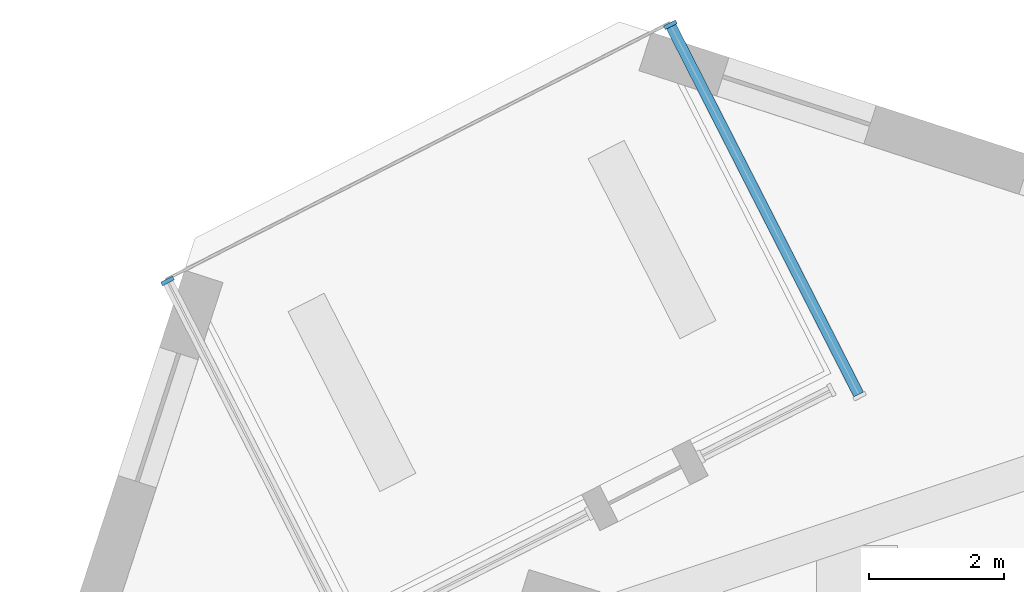
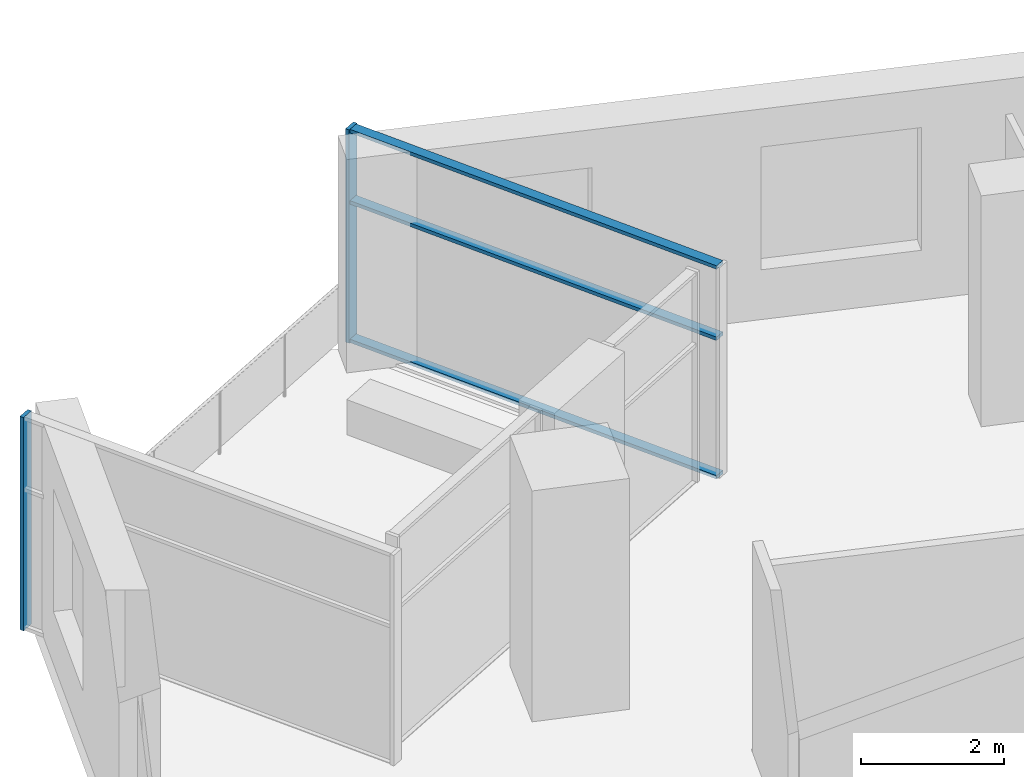
# One storey, part 4 of 13: 5 members, 2 elements without a shape of their own.
"""IFC4 building model written with IfcOpenShell, lengths in metres."""

from ifc_helpers import new_model, si_unit, direction, frame, origin, origin_2d, place, context, subcontext, project, spatial, rectangle, extrude, material, material_profile, profile_set, type_object, element, aggregate, save


model = new_model("IFC4")

# Units and contexts
model_context = context("Model", 3, precision=1e-05, world=origin(), true_north=direction((0.0, 1.0)))
body_context = subcontext(model_context, "Body", "Model", "MODEL_VIEW")
ifc_project = project(units=[si_unit("LENGTHUNIT", "METRE"), si_unit("AREAUNIT", "SQUARE_METRE"), si_unit("VOLUMEUNIT", "CUBIC_METRE"), si_unit("PLANEANGLEUNIT", "RADIAN"), si_unit("MASSUNIT", "GRAM", prefix="KILO")], contexts=[model_context])

# Site, building, storey
site_placement = place(None, origin())
site = spatial("IfcSite", under=ifc_project, at=site_placement, CompositionType="ELEMENT")
building_placement = place(site_placement, origin())
building = spatial("IfcBuilding", under=site, at=building_placement, Name="Dilmun Exchange Tower", CompositionType="ELEMENT")
storey_placement = place(building_placement, frame((0.0, 0.0, 320.5)))
storey = spatial("IfcBuildingStorey", under=building, at=storey_placement, Name="L76", CompositionType="ELEMENT", Elevation=320.5)

# Curtain wall, member
ifc_material_1 = material(Name="Anodised aluminium and clear glass", Category="aluminium")
curtain_wall_type = type_object("IfcCurtainWallType", Name="Garden corner glazing", PredefinedType="NOTDEFINED", material=ifc_material_1)
curtain_wall_1_placement = place(storey_placement, origin())
curtain_wall_1 = element("IfcCurtainWall", 1, at=curtain_wall_1_placement, inside=storey, type_object=curtain_wall_type, Name="Garden corner glazing run GC1.1", PredefinedType="NOTDEFINED")
ifc_material_2 = material(Name="Anodised aluminium", Category="aluminium")
ifc_material_profile_1 = material_profile(ifc_material_2, rectangle(XDim=0.199951171875, YDim=0.06005859375, at=origin_2d()), Name="AL 60x200")
ifc_profile_set_1 = profile_set([ifc_material_profile_1], Name="Anodised aluminium")
member_type_1 = type_object("IfcMemberType", Name="Garden corner glazing mullion 60 x 200", PredefinedType="MULLION", material=ifc_profile_set_1)
member_1_placement = place(storey_placement, frame((-10.896240234375, 35.28515625, 0.0), z_axis=(0.0, 0.0, 1.0), x_axis=(0.891010784827, 0.453982137668, 0.0)))
member_1 = element("IfcMember", 2, at=member_1_placement, type_object=member_type_1, Name="GC1.1 mullion 1", PredefinedType="MULLION", context=body_context, shape_type="SweptSolid", body=[
    extrude(rectangle(XDim=0.199951171875, YDim=0.06005859375, at=origin_2d()), origin(), (0.0, 0.0, 1.0), 3.64990234375),
])

curtain_wall_2_placement = place(storey_placement, origin())
curtain_wall_2 = element("IfcCurtainWall", 3, at=curtain_wall_2_placement, inside=storey, type_object=curtain_wall_type, Name="Garden corner glazing run GC3.1", PredefinedType="NOTDEFINED")
member_2_placement = place(storey_placement, frame((-18.361328125, 31.4814453125, 0.0), z_axis=(0.0, 0.0, 1.0), x_axis=(-0.891007485315, -0.453988613418, 0.0)))
member_2 = element("IfcMember", 4, at=member_2_placement, type_object=member_type_1, Name="GC3.1 mullion 2", PredefinedType="MULLION", context=body_context, shape_type="SweptSolid", body=[
    extrude(rectangle(XDim=0.199951171875, YDim=0.06005859375, at=origin_2d()), origin(), (0.0, 0.0, 1.0), 3.64990234375),
])
aggregate(curtain_wall_2, [member_2])

# Member
ifc_material_profile_2 = material_profile(ifc_material_2, rectangle(XDim=0.159912109375, YDim=0.06005859375, at=origin_2d()), Name="AL 60x160")
ifc_profile_set_2 = profile_set([ifc_material_profile_2], Name="Anodised aluminium")
member_type_2 = type_object("IfcMemberType", Name="Garden corner glazing transom 60 x 160", PredefinedType="USERDEFINED", material=ifc_profile_set_2)
member_3_placement = place(storey_placement, frame((-10.882568359375, 35.25830078125, 0.030029296875), z_axis=(0.453975328977, -0.891014253915, 0.0), x_axis=(0.891014253915, 0.453975328977, 0.0)))
member_3 = element("IfcMember", 5, at=member_3_placement, type_object=member_type_2, Name="GC1.1 transom 1.1", ObjectType="TRANSOM", PredefinedType="USERDEFINED", context=body_context, shape_type="SweptSolid", body=[
    extrude(rectangle(XDim=0.159912109375, YDim=0.06005859375, at=origin_2d()), origin(), (0.0, 0.0, 1.0), 6.12646484375),
])

member_4_placement = place(storey_placement, frame((-10.882568359375, 35.25830078125, 2.39990234375), z_axis=(0.453975328977, -0.891014253915, 0.0), x_axis=(0.891014253915, 0.453975328977, 0.0)))
member_4 = element("IfcMember", 6, at=member_4_placement, type_object=member_type_2, Name="GC1.1 transom 1.2", ObjectType="TRANSOM", PredefinedType="USERDEFINED", context=body_context, shape_type="SweptSolid", body=[
    extrude(rectangle(XDim=0.159912109375, YDim=0.06005859375, at=origin_2d()), origin(), (0.0, 0.0, 1.0), 6.12646484375),
])

member_5_placement = place(storey_placement, frame((-10.882568359375, 35.25830078125, 3.6201171875), z_axis=(0.453975328977, -0.891014253915, 0.0), x_axis=(0.891014253915, 0.453975328977, 0.0)))
member_5 = element("IfcMember", 7, at=member_5_placement, type_object=member_type_2, Name="GC1.1 transom 1.3", ObjectType="TRANSOM", PredefinedType="USERDEFINED", context=body_context, shape_type="SweptSolid", body=[
    extrude(rectangle(XDim=0.159912109375, YDim=0.06005859375, at=origin_2d()), origin(), (0.0, 0.0, 1.0), 6.12646484375),
])

aggregate(curtain_wall_1, [member_1, member_3, member_4, member_5])

save(model, "model.ifc")
